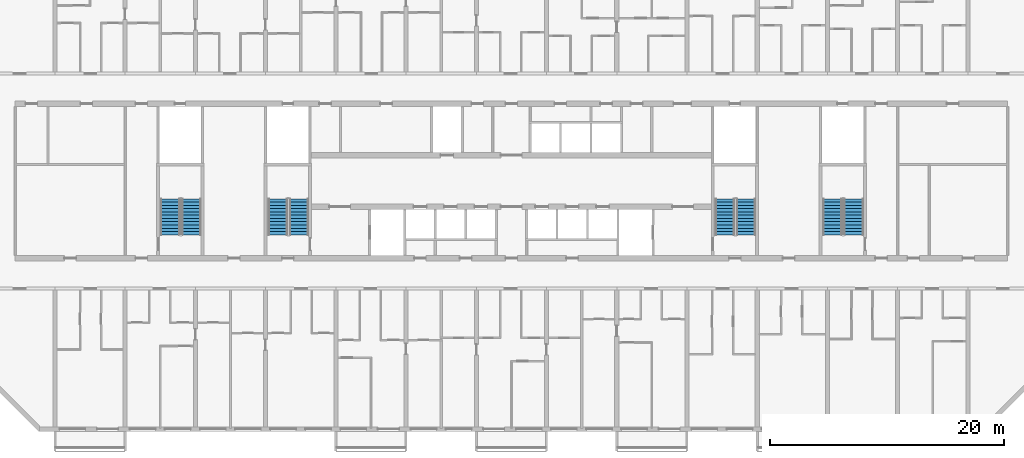
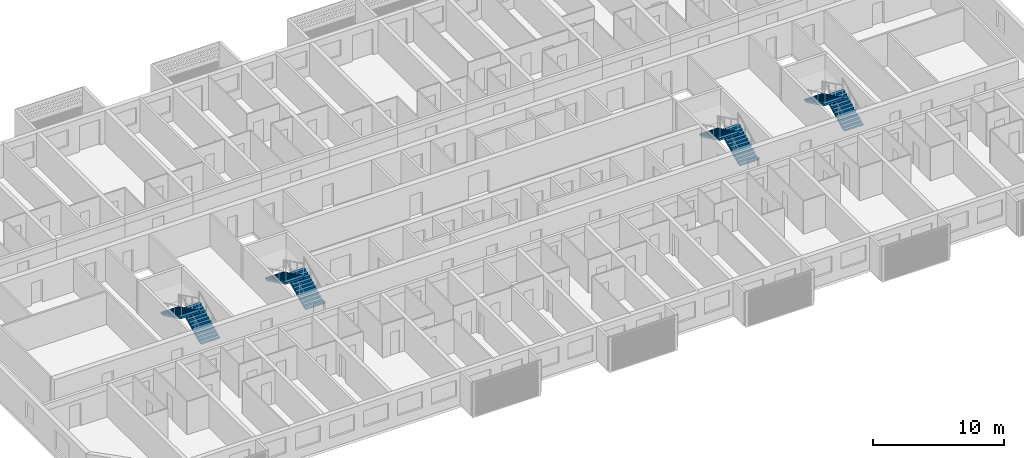
# One storey, part 16 of 26: 8 stair flights, 4 elements without a shape of their own.
"""IFC4 building model written with IfcOpenShell, lengths in metres."""

from ifc_helpers import new_model, si_unit, direction, frame, origin, place, context, subcontext, project, spatial, polyline, outline, extrude, material, layer, layer_set, type_object, element, aggregate, save


model = new_model("IFC4")

# Units and contexts
model_context = context("Model", 3, precision=1e-05, world=origin(), true_north=direction((0.0, 1.0)))
body_context = subcontext(model_context, "Body", "Model", "MODEL_VIEW")
ifc_project = project(units=[si_unit("LENGTHUNIT", "METRE"), si_unit("AREAUNIT", "SQUARE_METRE"), si_unit("VOLUMEUNIT", "CUBIC_METRE"), si_unit("PLANEANGLEUNIT", "RADIAN"), si_unit("MASSUNIT", "GRAM", prefix="KILO")], contexts=[model_context])

# Site, building, storey
site_placement = place(None, origin())
site = spatial("IfcSite", under=ifc_project, at=site_placement, CompositionType="ELEMENT")
building_placement = place(site_placement, origin())
building = spatial("IfcBuilding", under=site, at=building_placement, Name="Poui Terraces", CompositionType="ELEMENT")
storey_placement = place(building_placement, frame((0.0, 0.0, 96.0)))
storey = spatial("IfcBuildingStorey", under=building, at=storey_placement, Name="L26", CompositionType="ELEMENT", Elevation=96.0)

# Stair, stair flights
ifc_material = material(Name="Concrete 65 MPa", Category="concrete")
stair_type = type_object("IfcStairType", Name="EXIT STAIR 1650 65 MPA", PredefinedType="HALF_TURN_STAIR", material=ifc_material)
stair_1_placement = place(storey_placement, origin())
stair_1 = element("IfcStair", 1, at=stair_1_placement, inside=storey, type_object=stair_type, Name="L26 CORE STAIR EAST", PredefinedType="HALF_TURN_STAIR")
ifc_layer = layer(ifc_material, 0.14990234375)
ifc_layer_set = layer_set([ifc_layer], Name="Concrete 65 MPa")
stair_flight_type = type_object("IfcStairFlightType", Name="STAIR FLIGHT 12 RISERS 138 RISE 65 MPA", PredefinedType="STRAIGHT", material=ifc_layer_set)
stair_flight_1_placement = place(storey_placement, frame((71.050048828125, 16.60009765625, 0.0), z_axis=(0.0, 0.0, 1.0), x_axis=(0.0, 1.0, 0.0)))
stair_flight_1 = element("IfcStairFlight", 2, at=stair_flight_1_placement, type_object=stair_flight_type, Name="ST-CE flight 1", NumberOfRisers=12, NumberOfTreads=11, PredefinedType="STRAIGHT", RiserHeight=0.1375, TreadLength=0.28, context=body_context, shape_type="SweptSolid", body=[
    extrude(outline(polyline([(0.0, 0.0), (0.0, 0.137451171875), (0.280029296875, 0.137451171875), (0.280029296875, 0.27490234375), (0.56005859375, 0.27490234375), (0.56005859375, 0.41259765625), (0.840087890625, 0.41259765625), (0.840087890625, 0.550048828125), (1.1201171875, 0.550048828125), (1.1201171875, 0.6875), (1.39990234375, 0.6875), (1.39990234375, 0.824951171875), (1.679931640625, 0.824951171875), (1.679931640625, 0.96240234375), (1.9599609375, 0.96240234375), (1.9599609375, 1.10009765625), (2.239990234375, 1.10009765625), (2.239990234375, 1.237548828125), (2.52001953125, 1.237548828125), (2.52001953125, 1.375), (2.800048828125, 1.375), (2.800048828125, 1.512451171875), (3.080078125, 1.512451171875), (3.080078125, 1.64990234375), (3.080078125, 1.345458984375), (0.340087890625, 0.0), (0.0, 0.0)])), frame((0.0, 0.824951171875, 0.0), z_axis=(0.0, -1.0, 0.0), x_axis=(1.0, 0.0, 0.0)), (0.0, 0.0, 1.0), 1.64990234375),
])
stair_flight_2_placement = place(storey_placement, frame((69.25, 19.679931640625, 1.64990234375), z_axis=(0.0, 0.0, 1.0), x_axis=(0.0, -1.0, 0.0)))
stair_flight_2 = element("IfcStairFlight", 3, at=stair_flight_2_placement, type_object=stair_flight_type, Name="ST-CE flight 2", NumberOfRisers=12, NumberOfTreads=11, PredefinedType="STRAIGHT", RiserHeight=0.1375, TreadLength=0.28, context=body_context, shape_type="SweptSolid", body=[
    extrude(outline(polyline([(0.0, 0.0), (0.0, 0.137451171875), (0.280029296875, 0.137451171875), (0.280029296875, 0.27490234375), (0.56005859375, 0.27490234375), (0.56005859375, 0.41259765625), (0.840087890625, 0.41259765625), (0.840087890625, 0.550048828125), (1.1201171875, 0.550048828125), (1.1201171875, 0.6875), (1.39990234375, 0.6875), (1.39990234375, 0.824951171875), (1.679931640625, 0.824951171875), (1.679931640625, 0.96240234375), (1.9599609375, 0.96240234375), (1.9599609375, 1.10009765625), (2.239990234375, 1.10009765625), (2.239990234375, 1.237548828125), (2.52001953125, 1.237548828125), (2.52001953125, 1.375), (2.800048828125, 1.375), (2.800048828125, 1.512451171875), (3.080078125, 1.512451171875), (3.080078125, 1.64990234375), (3.080078125, 1.345458984375), (0.340087890625, 0.0), (0.0, 0.0)])), frame((0.0, 0.824951171875, 0.0), z_axis=(0.0, -1.0, 0.0), x_axis=(1.0, 0.0, 0.0)), (0.0, 0.0, 1.0), 1.64990234375),
])
aggregate(stair_1, [stair_flight_1, stair_flight_2])

stair_2_placement = place(storey_placement, origin())
stair_2 = element("IfcStair", 4, at=stair_2_placement, inside=storey, type_object=stair_type, Name="L26 CORE STAIR WEST", PredefinedType="HALF_TURN_STAIR")
stair_flight_3_placement = place(storey_placement, frame((32.85009765625, 16.60009765625, 0.0), z_axis=(0.0, 0.0, 1.0), x_axis=(0.0, 1.0, 0.0)))
stair_flight_3 = element("IfcStairFlight", 5, at=stair_flight_3_placement, type_object=stair_flight_type, Name="ST-CW flight 1", NumberOfRisers=12, NumberOfTreads=11, PredefinedType="STRAIGHT", RiserHeight=0.1375, TreadLength=0.28, context=body_context, shape_type="SweptSolid", body=[
    extrude(outline(polyline([(0.0, 0.0), (0.0, 0.137451171875), (0.280029296875, 0.137451171875), (0.280029296875, 0.27490234375), (0.56005859375, 0.27490234375), (0.56005859375, 0.41259765625), (0.840087890625, 0.41259765625), (0.840087890625, 0.550048828125), (1.1201171875, 0.550048828125), (1.1201171875, 0.6875), (1.39990234375, 0.6875), (1.39990234375, 0.824951171875), (1.679931640625, 0.824951171875), (1.679931640625, 0.96240234375), (1.9599609375, 0.96240234375), (1.9599609375, 1.10009765625), (2.239990234375, 1.10009765625), (2.239990234375, 1.237548828125), (2.52001953125, 1.237548828125), (2.52001953125, 1.375), (2.800048828125, 1.375), (2.800048828125, 1.512451171875), (3.080078125, 1.512451171875), (3.080078125, 1.64990234375), (3.080078125, 1.345458984375), (0.340087890625, 0.0), (0.0, 0.0)])), frame((0.0, 0.824951171875, 0.0), z_axis=(0.0, -1.0, 0.0), x_axis=(1.0, 0.0, 0.0)), (0.0, 0.0, 1.0), 1.64990234375),
])
stair_flight_4_placement = place(storey_placement, frame((31.050048828125, 19.679931640625, 1.64990234375), z_axis=(0.0, 0.0, 1.0), x_axis=(0.0, -1.0, 0.0)))
stair_flight_4 = element("IfcStairFlight", 6, at=stair_flight_4_placement, type_object=stair_flight_type, Name="ST-CW flight 2", NumberOfRisers=12, NumberOfTreads=11, PredefinedType="STRAIGHT", RiserHeight=0.1375, TreadLength=0.28, context=body_context, shape_type="SweptSolid", body=[
    extrude(outline(polyline([(0.0, 0.0), (0.0, 0.137451171875), (0.280029296875, 0.137451171875), (0.280029296875, 0.27490234375), (0.56005859375, 0.27490234375), (0.56005859375, 0.41259765625), (0.840087890625, 0.41259765625), (0.840087890625, 0.550048828125), (1.1201171875, 0.550048828125), (1.1201171875, 0.6875), (1.39990234375, 0.6875), (1.39990234375, 0.824951171875), (1.679931640625, 0.824951171875), (1.679931640625, 0.96240234375), (1.9599609375, 0.96240234375), (1.9599609375, 1.10009765625), (2.239990234375, 1.10009765625), (2.239990234375, 1.237548828125), (2.52001953125, 1.237548828125), (2.52001953125, 1.375), (2.800048828125, 1.375), (2.800048828125, 1.512451171875), (3.080078125, 1.512451171875), (3.080078125, 1.64990234375), (3.080078125, 1.345458984375), (0.340087890625, 0.0), (0.0, 0.0)])), frame((0.0, 0.824951171875, 0.0), z_axis=(0.0, -1.0, 0.0), x_axis=(1.0, 0.0, 0.0)), (0.0, 0.0, 1.0), 1.64990234375),
])
aggregate(stair_2, [stair_flight_3, stair_flight_4])

stair_3_placement = place(storey_placement, origin())
stair_3 = element("IfcStair", 7, at=stair_3_placement, inside=storey, type_object=stair_type, Name="L26 TIP STAIR EAST", PredefinedType="HALF_TURN_STAIR")
stair_flight_5_placement = place(storey_placement, frame((80.25, 16.60009765625, 0.0), z_axis=(0.0, 0.0, 1.0), x_axis=(0.0, 1.0, 0.0)))
stair_flight_5 = element("IfcStairFlight", 8, at=stair_flight_5_placement, type_object=stair_flight_type, Name="ST-E flight 1", NumberOfRisers=12, NumberOfTreads=11, PredefinedType="STRAIGHT", RiserHeight=0.1375, TreadLength=0.28, context=body_context, shape_type="SweptSolid", body=[
    extrude(outline(polyline([(0.0, 0.0), (0.0, 0.137451171875), (0.280029296875, 0.137451171875), (0.280029296875, 0.27490234375), (0.56005859375, 0.27490234375), (0.56005859375, 0.41259765625), (0.840087890625, 0.41259765625), (0.840087890625, 0.550048828125), (1.1201171875, 0.550048828125), (1.1201171875, 0.6875), (1.39990234375, 0.6875), (1.39990234375, 0.824951171875), (1.679931640625, 0.824951171875), (1.679931640625, 0.96240234375), (1.9599609375, 0.96240234375), (1.9599609375, 1.10009765625), (2.239990234375, 1.10009765625), (2.239990234375, 1.237548828125), (2.52001953125, 1.237548828125), (2.52001953125, 1.375), (2.800048828125, 1.375), (2.800048828125, 1.512451171875), (3.080078125, 1.512451171875), (3.080078125, 1.64990234375), (3.080078125, 1.345458984375), (0.340087890625, 0.0), (0.0, 0.0)])), frame((0.0, 0.824951171875, 0.0), z_axis=(0.0, -1.0, 0.0), x_axis=(1.0, 0.0, 0.0)), (0.0, 0.0, 1.0), 1.64990234375),
])
stair_flight_6_placement = place(storey_placement, frame((78.449951171875, 19.679931640625, 1.64990234375), z_axis=(0.0, 0.0, 1.0), x_axis=(0.0, -1.0, 0.0)))
stair_flight_6 = element("IfcStairFlight", 9, at=stair_flight_6_placement, type_object=stair_flight_type, Name="ST-E flight 2", NumberOfRisers=12, NumberOfTreads=11, PredefinedType="STRAIGHT", RiserHeight=0.1375, TreadLength=0.28, context=body_context, shape_type="SweptSolid", body=[
    extrude(outline(polyline([(0.0, 0.0), (0.0, 0.137451171875), (0.280029296875, 0.137451171875), (0.280029296875, 0.27490234375), (0.56005859375, 0.27490234375), (0.56005859375, 0.41259765625), (0.840087890625, 0.41259765625), (0.840087890625, 0.550048828125), (1.1201171875, 0.550048828125), (1.1201171875, 0.6875), (1.39990234375, 0.6875), (1.39990234375, 0.824951171875), (1.679931640625, 0.824951171875), (1.679931640625, 0.96240234375), (1.9599609375, 0.96240234375), (1.9599609375, 1.10009765625), (2.239990234375, 1.10009765625), (2.239990234375, 1.237548828125), (2.52001953125, 1.237548828125), (2.52001953125, 1.375), (2.800048828125, 1.375), (2.800048828125, 1.512451171875), (3.080078125, 1.512451171875), (3.080078125, 1.64990234375), (3.080078125, 1.345458984375), (0.340087890625, 0.0), (0.0, 0.0)])), frame((0.0, 0.824951171875, 0.0), z_axis=(0.0, -1.0, 0.0), x_axis=(1.0, 0.0, 0.0)), (0.0, 0.0, 1.0), 1.64990234375),
])
aggregate(stair_3, [stair_flight_5, stair_flight_6])

stair_4_placement = place(storey_placement, origin())
stair_4 = element("IfcStair", 10, at=stair_4_placement, inside=storey, type_object=stair_type, Name="L26 TIP STAIR WEST", PredefinedType="HALF_TURN_STAIR")
stair_flight_7_placement = place(storey_placement, frame((23.64990234375, 16.60009765625, 0.0), z_axis=(0.0, 0.0, 1.0), x_axis=(0.0, 1.0, 0.0)))
stair_flight_7 = element("IfcStairFlight", 11, at=stair_flight_7_placement, type_object=stair_flight_type, Name="ST-W flight 1", NumberOfRisers=12, NumberOfTreads=11, PredefinedType="STRAIGHT", RiserHeight=0.1375, TreadLength=0.28, context=body_context, shape_type="SweptSolid", body=[
    extrude(outline(polyline([(0.0, 0.0), (0.0, 0.137451171875), (0.280029296875, 0.137451171875), (0.280029296875, 0.27490234375), (0.56005859375, 0.27490234375), (0.56005859375, 0.41259765625), (0.840087890625, 0.41259765625), (0.840087890625, 0.550048828125), (1.1201171875, 0.550048828125), (1.1201171875, 0.6875), (1.39990234375, 0.6875), (1.39990234375, 0.824951171875), (1.679931640625, 0.824951171875), (1.679931640625, 0.96240234375), (1.9599609375, 0.96240234375), (1.9599609375, 1.10009765625), (2.239990234375, 1.10009765625), (2.239990234375, 1.237548828125), (2.52001953125, 1.237548828125), (2.52001953125, 1.375), (2.800048828125, 1.375), (2.800048828125, 1.512451171875), (3.080078125, 1.512451171875), (3.080078125, 1.64990234375), (3.080078125, 1.345458984375), (0.340087890625, 0.0), (0.0, 0.0)])), frame((0.0, 0.824951171875, 0.0), z_axis=(0.0, -1.0, 0.0), x_axis=(1.0, 0.0, 0.0)), (0.0, 0.0, 1.0), 1.64990234375),
])
stair_flight_8_placement = place(storey_placement, frame((21.85009765625, 19.679931640625, 1.64990234375), z_axis=(0.0, 0.0, 1.0), x_axis=(0.0, -1.0, 0.0)))
stair_flight_8 = element("IfcStairFlight", 12, at=stair_flight_8_placement, type_object=stair_flight_type, Name="ST-W flight 2", NumberOfRisers=12, NumberOfTreads=11, PredefinedType="STRAIGHT", RiserHeight=0.1375, TreadLength=0.28, context=body_context, shape_type="SweptSolid", body=[
    extrude(outline(polyline([(0.0, 0.0), (0.0, 0.137451171875), (0.280029296875, 0.137451171875), (0.280029296875, 0.27490234375), (0.56005859375, 0.27490234375), (0.56005859375, 0.41259765625), (0.840087890625, 0.41259765625), (0.840087890625, 0.550048828125), (1.1201171875, 0.550048828125), (1.1201171875, 0.6875), (1.39990234375, 0.6875), (1.39990234375, 0.824951171875), (1.679931640625, 0.824951171875), (1.679931640625, 0.96240234375), (1.9599609375, 0.96240234375), (1.9599609375, 1.10009765625), (2.239990234375, 1.10009765625), (2.239990234375, 1.237548828125), (2.52001953125, 1.237548828125), (2.52001953125, 1.375), (2.800048828125, 1.375), (2.800048828125, 1.512451171875), (3.080078125, 1.512451171875), (3.080078125, 1.64990234375), (3.080078125, 1.345458984375), (0.340087890625, 0.0), (0.0, 0.0)])), frame((0.0, 0.824951171875, 0.0), z_axis=(0.0, -1.0, 0.0), x_axis=(1.0, 0.0, 0.0)), (0.0, 0.0, 1.0), 1.64990234375),
])
aggregate(stair_4, [stair_flight_7, stair_flight_8])

save(model, "model.ifc")
